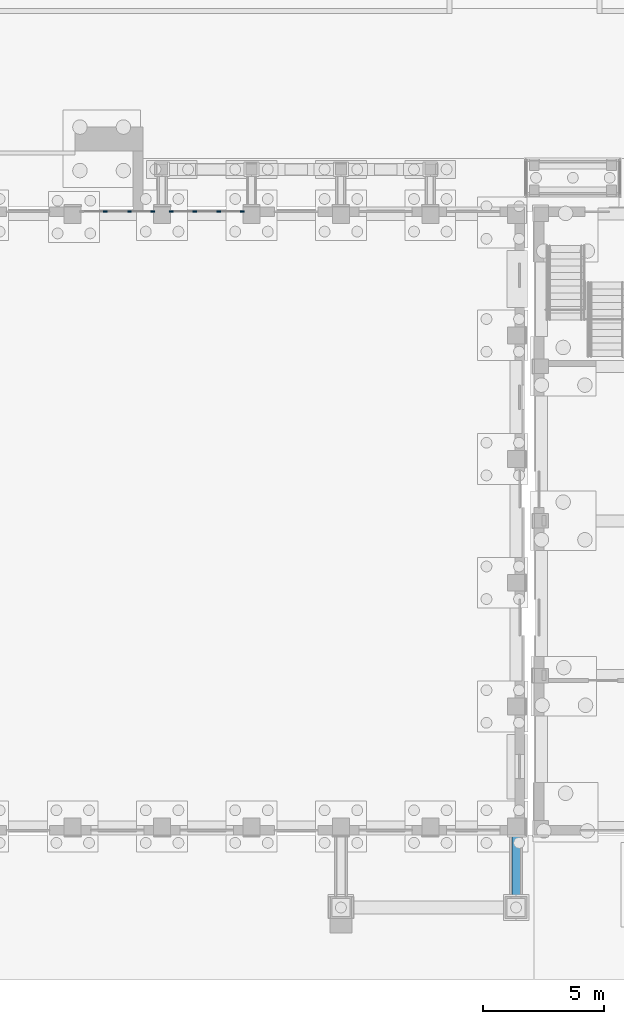
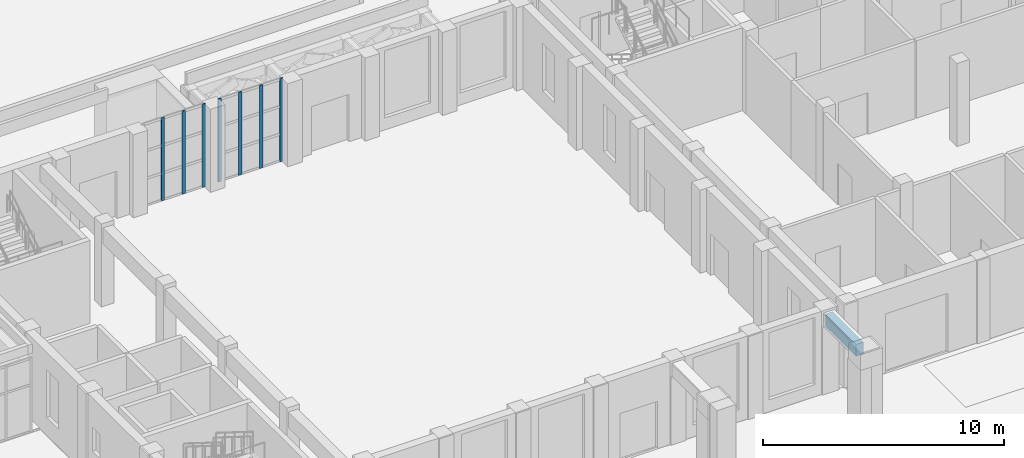
# One storey, part 23 of 112: 7 members, 1 beam, 2 elements without a shape of their own.
"""IFC4 building model written with IfcOpenShell, lengths in metres."""

from ifc_helpers import new_model, si_unit, direction, frame, origin, origin_2d, place, context, subcontext, project, spatial, rectangle, extrude, material, layer, layer_set, material_profile, profile_set, type_object, element, aggregate, save


model = new_model("IFC4")

# Units and contexts
model_context = context("Model", 3, precision=1e-05, world=origin(), true_north=direction((0.0, 1.0)))
body_context = subcontext(model_context, "Body", "Model", "MODEL_VIEW")
ifc_project = project(units=[si_unit("LENGTHUNIT", "METRE"), si_unit("AREAUNIT", "SQUARE_METRE"), si_unit("VOLUMEUNIT", "CUBIC_METRE"), si_unit("PLANEANGLEUNIT", "RADIAN"), si_unit("MASSUNIT", "GRAM", prefix="KILO")], contexts=[model_context])

# Site, building, storey
site_placement = place(None, origin())
site = spatial("IfcSite", under=ifc_project, at=site_placement, CompositionType="ELEMENT")
building_placement = place(site_placement, origin())
building = spatial("IfcBuilding", under=site, at=building_placement, Name="Wasatch Bagh Community Centre", CompositionType="ELEMENT")
storey_placement = place(building_placement, origin())
storey = spatial("IfcBuildingStorey", under=building, at=storey_placement, Name="L00", CompositionType="ELEMENT", Elevation=0.0)

# Beam
ifc_material_1 = material(Name="Concrete C35", Category="concrete")
ifc_material_profile_1 = material_profile(ifc_material_1, rectangle(XDim=0.35009765625, YDim=0.60009765625, at=origin_2d()), Name="RC 350x600")
ifc_profile_set_1 = profile_set([ifc_material_profile_1], Name="Concrete C35")
beam_type = type_object("IfcBeamType", Name="CL-B4", PredefinedType="BEAM", material=ifc_profile_set_1)
beam_placement = place(storey_placement, frame((95.64990234375, 6.0, 3.699951171875), z_axis=(0.0, -1.0, 0.0), x_axis=(1.0, 0.0, 0.0)))
element("IfcBeam", 1, at=beam_placement, inside=storey, type_object=beam_type, Name="CL-B4 tie DHP4.1", PredefinedType="BEAM", context=body_context, shape_type="SweptSolid", body=[
    extrude(rectangle(XDim=0.35009765625, YDim=0.60009765625, at=origin_2d()), origin(), (0.0, 0.0, 1.0), 2.550048828125),
])

# Curtain wall, members
ifc_material_2 = material(Name="Aluminium alloy 6063-T6", Category="aluminium")
ifc_layer = layer(ifc_material_2, 0.10009765625)
ifc_layer_set = layer_set([ifc_layer], Name="Aluminium alloy 6063-T6")
curtain_wall_type = type_object("IfcCurtainWallType", Name="DH-CW1", PredefinedType="NOTDEFINED", material=ifc_layer_set)
curtain_wall_1_placement = place(storey_placement, origin())
curtain_wall_1 = element("IfcCurtainWall", 2, at=curtain_wall_1_placement, inside=storey, type_object=curtain_wall_type, Name="Curtain wall DH-CW1", PredefinedType="NOTDEFINED")
ifc_material_profile_2 = material_profile(ifc_material_2, rectangle(XDim=0.06005859375, YDim=0.159912109375, at=origin_2d()), Name="AL 60x160")
ifc_profile_set_2 = profile_set([ifc_material_profile_2], Name="Aluminium alloy 6063-T6")
member_type = type_object("IfcMemberType", Name="DH-CW1 mullion", PredefinedType="MULLION", material=ifc_profile_set_2)
member_1_placement = place(storey_placement, frame((78.64990234375, 31.800048828125, 0.0), z_axis=(0.0, 0.0, 1.0), x_axis=(0.0, 1.0, 0.0)))
member_1 = element("IfcMember", 3, at=member_1_placement, type_object=member_type, Name="DH-CW1 mullion 2", PredefinedType="MULLION", context=body_context, shape_type="SweptSolid", body=[
    extrude(rectangle(XDim=0.06005859375, YDim=0.159912109375, at=origin_2d()), origin(), (0.0, 0.0, 1.0), 4.199951171875),
])
member_2_placement = place(storey_placement, frame((79.64990234375, 31.800048828125, 0.0), z_axis=(0.0, 0.0, 1.0), x_axis=(0.0, 1.0, 0.0)))
member_2 = element("IfcMember", 4, at=member_2_placement, type_object=member_type, Name="DH-CW1 mullion 3", PredefinedType="MULLION", context=body_context, shape_type="SweptSolid", body=[
    extrude(rectangle(XDim=0.06005859375, YDim=0.159912109375, at=origin_2d()), origin(), (0.0, 0.0, 1.0), 4.199951171875),
])
member_3_placement = place(storey_placement, frame((80.6201171875, 31.800048828125, 0.0), z_axis=(0.0, 0.0, 1.0), x_axis=(0.0, 1.0, 0.0)))
member_3 = element("IfcMember", 5, at=member_3_placement, type_object=member_type, Name="DH-CW1 mullion 4", PredefinedType="MULLION", context=body_context, shape_type="SweptSolid", body=[
    extrude(rectangle(XDim=0.06005859375, YDim=0.159912109375, at=origin_2d()), origin(), (0.0, 0.0, 1.0), 4.199951171875),
])
aggregate(curtain_wall_1, [member_1, member_2, member_3])

curtain_wall_2_placement = place(storey_placement, origin())
curtain_wall_2 = element("IfcCurtainWall", 6, at=curtain_wall_2_placement, inside=storey, type_object=curtain_wall_type, Name="Curtain wall DH-CW1", PredefinedType="NOTDEFINED")
member_4_placement = place(storey_placement, frame((81.3798828125, 31.800048828125, 0.0), z_axis=(0.0, 0.0, 1.0), x_axis=(0.0, 1.0, 0.0)))
member_4 = element("IfcMember", 7, at=member_4_placement, type_object=member_type, Name="DH-CW1 mullion 1", PredefinedType="MULLION", context=body_context, shape_type="SweptSolid", body=[
    extrude(rectangle(XDim=0.06005859375, YDim=0.159912109375, at=origin_2d()), origin(), (0.0, 0.0, 1.0), 4.199951171875),
])
member_5_placement = place(storey_placement, frame((82.35009765625, 31.800048828125, 0.0), z_axis=(0.0, 0.0, 1.0), x_axis=(0.0, 1.0, 0.0)))
member_5 = element("IfcMember", 8, at=member_5_placement, type_object=member_type, Name="DH-CW1 mullion 2", PredefinedType="MULLION", context=body_context, shape_type="SweptSolid", body=[
    extrude(rectangle(XDim=0.06005859375, YDim=0.159912109375, at=origin_2d()), origin(), (0.0, 0.0, 1.0), 4.199951171875),
])
member_6_placement = place(storey_placement, frame((83.35009765625, 31.800048828125, 0.0), z_axis=(0.0, 0.0, 1.0), x_axis=(0.0, 1.0, 0.0)))
member_6 = element("IfcMember", 9, at=member_6_placement, type_object=member_type, Name="DH-CW1 mullion 3", PredefinedType="MULLION", context=body_context, shape_type="SweptSolid", body=[
    extrude(rectangle(XDim=0.06005859375, YDim=0.159912109375, at=origin_2d()), origin(), (0.0, 0.0, 1.0), 4.199951171875),
])
member_7_placement = place(storey_placement, frame((84.320068359375, 31.800048828125, 0.0), z_axis=(0.0, 0.0, 1.0), x_axis=(0.0, 1.0, 0.0)))
member_7 = element("IfcMember", 10, at=member_7_placement, type_object=member_type, Name="DH-CW1 mullion 4", PredefinedType="MULLION", context=body_context, shape_type="SweptSolid", body=[
    extrude(rectangle(XDim=0.06005859375, YDim=0.159912109375, at=origin_2d()), origin(), (0.0, 0.0, 1.0), 4.199951171875),
])
aggregate(curtain_wall_2, [member_4, member_5, member_6, member_7])

save(model, "model.ifc")
